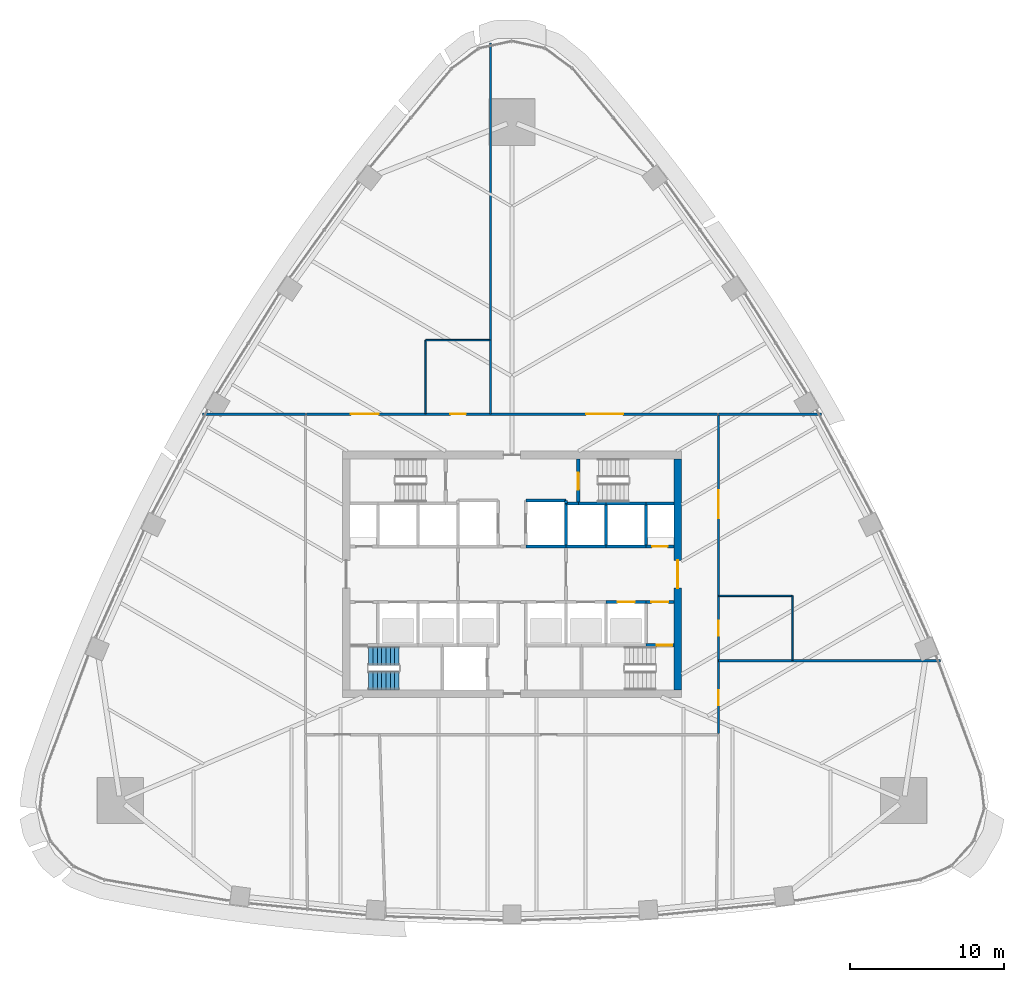
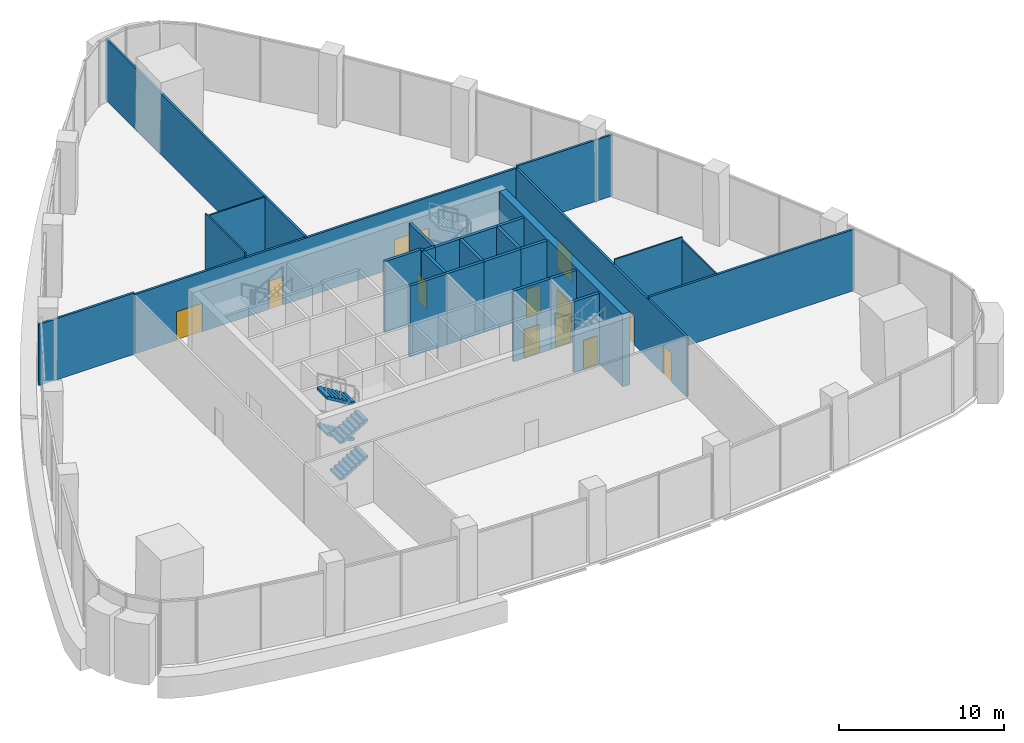
# One storey, part 11 of 16: 28 walls, 12 doors, 4 stair flights, 12 openings, 1 element without a shape of its own.
"""IFC4 building model written with IfcOpenShell, lengths in metres."""

from ifc_helpers import new_model, si_unit, direction, frame, frame_2d, origin, place, context, subcontext, project, spatial, polyline, rectangle, outline, extrude, material, layer, layer_set, type_object, element, fill, aggregate, save


model = new_model("IFC4")

# Units and contexts
model_context = context("Model", 3, precision=1e-05, world=origin(), true_north=direction((0.0, 1.0)))
body_context = subcontext(model_context, "Body", "Model", "MODEL_VIEW")
ifc_project = project(units=[si_unit("LENGTHUNIT", "METRE"), si_unit("AREAUNIT", "SQUARE_METRE"), si_unit("VOLUMEUNIT", "CUBIC_METRE"), si_unit("PLANEANGLEUNIT", "RADIAN"), si_unit("MASSUNIT", "GRAM", prefix="KILO")], contexts=[model_context])

# Site, building, storey
site_placement = place(None, origin())
site = spatial("IfcSite", under=ifc_project, at=site_placement, CompositionType="ELEMENT")
building_placement = place(site_placement, origin())
building = spatial("IfcBuilding", under=site, at=building_placement, Name="Sierra Prisma Convention Tower", CompositionType="ELEMENT")
storey_placement = place(building_placement, frame((0.0, 0.0, 107.199951171875)))
storey = spatial("IfcBuildingStorey", under=building, at=storey_placement, Name="L23", CompositionType="ELEMENT", Elevation=107.199951171875)

# Walls
ifc_material_1 = material(Name="Gypsum board partition", Category="gypsum")
ifc_layer_1 = layer(ifc_material_1, 0.10009765625)
ifc_layer_set_1 = layer_set([ifc_layer_1], Name="Bathroom partition 100")
wall_type_1 = type_object("IfcWallType", Name="Bathroom partition 100", PredefinedType="PARTITIONING", material=ifc_layer_set_1)
wall_1_placement = place(storey_placement, frame((-5.60009765625, 10.429931640625, 0.0), z_axis=(0.0, 0.0, 1.0), x_axis=(0.0, 1.0, 0.0)))
element("IfcWall", 1, at=wall_1_placement, inside=storey, type_object=wall_type_1, Name="Partition L23 bath 1", PredefinedType="PARTITIONING", context=body_context, shape_type="SweptSolid", body=[
    extrude(rectangle(XDim=4.77001953125, YDim=0.10009765625, at=frame_2d((2.385009765625, 0.0))), origin(), (0.0, 0.0, 1.0), 4.75),
])
wall_2_placement = place(storey_placement, frame((-5.60009765625, 15.199951171875, 0.0), z_axis=(0.0, 0.0, 1.0), x_axis=(1.0, 0.0, 0.0)))
element("IfcWall", 2, at=wall_2_placement, inside=storey, type_object=wall_type_1, Name="Partition L23 bath 2", PredefinedType="PARTITIONING", context=body_context, shape_type="SweptSolid", body=[
    extrude(rectangle(XDim=4.170166015625, YDim=0.10009765625, at=frame_2d((2.0849609375, 0.0))), origin(), (0.0, 0.0, 1.0), 4.5380859375),
])
wall_3_placement = place(storey_placement, frame((13.429931640625, -1.39990234375, 0.0), z_axis=(0.0, 0.0, 1.0), x_axis=(1.0, 0.0, 0.0)))
element("IfcWall", 3, at=wall_3_placement, inside=storey, type_object=wall_type_1, Name="Partition L23 bath 3", PredefinedType="PARTITIONING", context=body_context, shape_type="SweptSolid", body=[
    extrude(rectangle(XDim=4.77001953125, YDim=0.10009765625, at=frame_2d((2.385009765625, 0.0))), origin(), (0.0, 0.0, 1.0), 4.75),
])
wall_4_placement = place(storey_placement, frame((18.199951171875, -1.39990234375, 0.0), z_axis=(0.0, 0.0, 1.0), x_axis=(0.0, -1.0, 0.0)))
element("IfcWall", 4, at=wall_4_placement, inside=storey, type_object=wall_type_1, Name="Partition L23 bath 4", PredefinedType="PARTITIONING", context=body_context, shape_type="SweptSolid", body=[
    extrude(rectangle(XDim=4.170166015625, YDim=0.10009765625, at=frame_2d((2.0849609375, 0.0))), origin(), (0.0, 0.0, 1.0), 4.5380859375),
])
ifc_material_2 = material(Name="Concrete C30/37", Category="concrete")
ifc_layer_2 = layer(ifc_material_2, 0.199951171875)
ifc_layer_set_2 = layer_set([ifc_layer_2], Name="Core wall RC 200 C30/37")
wall_type_2 = type_object("IfcWallType", Name="Core wall RC 200 C30/37", PredefinedType="SOLIDWALL", material=ifc_layer_set_2)
wall_5_placement = place(storey_placement, frame((3.5, 1.800048828125, 0.0), z_axis=(0.0, 0.0, 1.0), x_axis=(-1.0, 0.0, 0.0)))
element("IfcWall", 5, at=wall_5_placement, inside=storey, type_object=wall_type_2, Name="Core wall L23 39", PredefinedType="SOLIDWALL", context=body_context, shape_type="SweptSolid", body=[
    extrude(rectangle(XDim=2.60009765625, YDim=0.199951171875, at=frame_2d((1.300048828125, 0.0))), origin(), (0.0, 0.0, 1.0), 5.25),
])
wall_6_placement = place(storey_placement, frame((3.5, 4.60009765625, 0.0), z_axis=(0.0, 0.0, 1.0), x_axis=(0.0, 1.0, 0.0)))
element("IfcWall", 6, at=wall_6_placement, inside=storey, type_object=wall_type_2, Name="Core wall L23 40", PredefinedType="SOLIDWALL", context=body_context, shape_type="SweptSolid", body=[
    extrude(rectangle(XDim=0.199951171875, YDim=0.199951171875, at=frame_2d((0.10009765625, 0.0))), origin(), (0.0, 0.0, 1.0), 5.25),
])
for number, where, z_axis, x_axis, name in (
    (7, (3.5, 4.800048828125, 0.0), (0.0, 0.0, 1.0), (-1.0, 0.0, 0.0), "Core wall L23 41"),
    (8, (6.10009765625, 1.800048828125, 0.0), (0.0, 0.0, 1.0), (-1.0, 0.0, 0.0), "Core wall L23 47"),
):
    element("IfcWall", number, at=place(storey_placement, frame(where, z_axis=z_axis, x_axis=x_axis)), inside=storey, type_object=wall_type_2, Name=name, PredefinedType="SOLIDWALL", context=body_context, shape_type="SweptSolid", body=[
        extrude(rectangle(XDim=2.60009765625, YDim=0.199951171875, at=frame_2d((1.300048828125, 0.0))), origin(), (0.0, 0.0, 1.0), 5.25),
    ])
wall_7_placement = place(storey_placement, frame((3.5, 1.800048828125, 0.0), z_axis=(0.0, 0.0, 1.0), x_axis=(0.0, 1.0, 0.0)))
element("IfcWall", 9, at=wall_7_placement, inside=storey, type_object=wall_type_2, Name="Core wall L23 48", PredefinedType="SOLIDWALL", context=body_context, shape_type="SweptSolid", body=[
    extrude(rectangle(XDim=2.800048828125, YDim=0.199951171875, at=frame_2d((1.39990234375, 0.0))), origin(), (0.0, 0.0, 1.0), 5.25),
])
wall_8_placement = place(storey_placement, frame((4.300048828125, 4.60009765625, 0.0), z_axis=(0.0, 0.0, 1.0), x_axis=(-1.0, 0.0, 0.0)))
element("IfcWall", 10, at=wall_8_placement, inside=storey, type_object=wall_type_2, Name="Core wall L23 49", PredefinedType="SOLIDWALL", context=body_context, shape_type="SweptSolid", body=[
    extrude(rectangle(XDim=0.800048828125, YDim=0.199951171875, at=frame_2d((0.39990234375, 0.0))), origin(), (0.0, 0.0, 1.0), 5.25),
])
wall_9_placement = place(storey_placement, frame((6.10009765625, 4.60009765625, 0.0), z_axis=(0.0, 0.0, 1.0), x_axis=(-1.0, 0.0, 0.0)))
element("IfcWall", 11, at=wall_9_placement, inside=storey, type_object=wall_type_2, Name="Core wall L23 50", PredefinedType="SOLIDWALL", context=body_context, shape_type="SweptSolid", body=[
    extrude(rectangle(XDim=1.800048828125, YDim=0.199951171875, at=frame_2d((0.89990234375, 0.0))), origin(), (0.0, 0.0, 1.0), 5.25),
])

# Wall, opening, door
wall_10_placement = place(storey_placement, frame((4.300048828125, 7.5, 0.0), z_axis=(0.0, 0.0, 1.0), x_axis=(0.0, -1.0, 0.0)))
wall_10 = element("IfcWall", 12, at=wall_10_placement, inside=storey, type_object=wall_type_2, Name="Core wall L23 51", PredefinedType="SOLIDWALL", context=body_context, shape_type="SweptSolid", body=[
    extrude(rectangle(XDim=2.89990234375, YDim=0.199951171875, at=frame_2d((1.449951171875, 0.0))), origin(), (0.0, 0.0, 1.0), 5.25),
])
opening_1_placement = place(wall_10_placement, frame((0.89990234375, 0.0, 0.0)))
opening_1 = element("IfcOpeningElement", 13, at=opening_1_placement, cuts=wall_10, Name="Opening L23-D021", PredefinedType="OPENING", context=body_context, shape_type="SweptSolid", body=[
    extrude(rectangle(XDim=1.10009765625, YDim=2.10009765625, at=frame_2d((0.550048828125, 1.050048828125))), frame((0.0, 0.10009765625, 0.0), z_axis=(0.0, -1.0, 0.0), x_axis=(1.0, 0.0, 0.0)), (0.0, 0.0, 1.0), 0.199951171875),
])
ifc_material_3 = material(Name="Steel fire door leaf", Category="steel")
door_type_1 = type_object("IfcDoorType", Name="Door 1100x2100 FD90S", OperationType="SINGLE_SWING_LEFT", PredefinedType="DOOR", material=ifc_material_3)
door_1_placement = place(opening_1_placement, origin())
door_1 = element("IfcDoor", 14, at=door_1_placement, inside=storey, type_object=door_type_1, Name="Door L23 30", OperationType="SINGLE_SWING_LEFT", OverallHeight=2.10009765625, OverallWidth=1.10009765625, PredefinedType="DOOR", context=body_context, shape_type="SweptSolid", body=[
    extrude(rectangle(XDim=1.10009765625, YDim=2.10009765625, at=frame_2d((0.550048828125, 1.050048828125))), frame((0.0, 0.02490234375, 0.0), z_axis=(0.0, -1.0, 0.0), x_axis=(1.0, 0.0, 0.0)), (0.0, 0.0, 1.0), 0.050048828125),
])
fill(opening_1, door_1)

wall_11_placement = place(storey_placement, frame((6.10009765625, -1.800048828125, 0.0), z_axis=(0.0, 0.0, 1.0), x_axis=(1.0, 0.0, 0.0)))
wall_11 = element("IfcWall", 15, at=wall_11_placement, inside=storey, type_object=wall_type_2, Name="Core wall L23 56", PredefinedType="SOLIDWALL", context=body_context, shape_type="SweptSolid", body=[
    extrude(rectangle(XDim=2.599853515625, YDim=0.199951171875, at=frame_2d((1.2998046875, 0.0))), origin(), (0.0, 0.0, 1.0), 5.25),
])
opening_2_placement = place(wall_11_placement, frame((0.75, 0.0, 0.0)))
opening_2 = element("IfcOpeningElement", 16, at=opening_2_placement, cuts=wall_11, Name="Opening L23-D006", PredefinedType="OPENING", context=body_context, shape_type="SweptSolid", body=[
    extrude(rectangle(XDim=1.10009765625, YDim=2.10009765625, at=frame_2d((0.550048828125, 1.050048828125))), frame((0.0, 0.10009765625, 0.0), z_axis=(0.0, -1.0, 0.0), x_axis=(1.0, 0.0, 0.0)), (0.0, 0.0, 1.0), 0.199951171875),
])
ifc_material_4 = material(Name="Steel fire door leaf", Category="steel")
door_type_2 = type_object("IfcDoorType", Name="Door 1100x2100 EI 90 sliding lift landing", OperationType="SLIDING_TO_LEFT", PredefinedType="DOOR", material=ifc_material_4)
door_2_placement = place(opening_2_placement, origin())
door_2 = element("IfcDoor", 17, at=door_2_placement, inside=storey, type_object=door_type_2, Name="Door L23 15", OperationType="SLIDING_TO_RIGHT", OverallHeight=2.10009765625, OverallWidth=1.10009765625, PredefinedType="DOOR", context=body_context, shape_type="SweptSolid", body=[
    extrude(rectangle(XDim=1.10009765625, YDim=2.10009765625, at=frame_2d((0.550048828125, 1.050048828125))), frame((0.0, 0.02490234375, 0.0), z_axis=(0.0, -1.0, 0.0), x_axis=(1.0, 0.0, 0.0)), (0.0, 0.0, 1.0), 0.050048828125),
])
fill(opening_2, door_2)

# Walls
wall_12_placement = place(storey_placement, frame((8.699951171875, 1.800048828125, 0.0), z_axis=(0.0, 0.0, 1.0), x_axis=(-1.0, 0.0, 0.0)))
element("IfcWall", 18, at=wall_12_placement, inside=storey, type_object=wall_type_2, Name="Core wall L23 57", PredefinedType="SOLIDWALL", context=body_context, shape_type="SweptSolid", body=[
    extrude(rectangle(XDim=2.599853515625, YDim=0.199951171875, at=frame_2d((1.2998046875, 0.0))), origin(), (0.0, 0.0, 1.0), 5.25),
])
wall_13_placement = place(storey_placement, frame((6.10009765625, 1.800048828125, 0.0), z_axis=(0.0, 0.0, 1.0), x_axis=(0.0, 1.0, 0.0)))
element("IfcWall", 19, at=wall_13_placement, inside=storey, type_object=wall_type_2, Name="Core wall L23 58", PredefinedType="SOLIDWALL", context=body_context, shape_type="SweptSolid", body=[
    extrude(rectangle(XDim=2.800048828125, YDim=0.199951171875, at=frame_2d((1.39990234375, 0.0))), origin(), (0.0, 0.0, 1.0), 5.25),
])
wall_14_placement = place(storey_placement, frame((8.699951171875, 4.60009765625, 0.0), z_axis=(0.0, 0.0, 1.0), x_axis=(-1.0, 0.0, 0.0)))
element("IfcWall", 20, at=wall_14_placement, inside=storey, type_object=wall_type_2, Name="Core wall L23 59", PredefinedType="SOLIDWALL", context=body_context, shape_type="SweptSolid", body=[
    extrude(rectangle(XDim=2.599853515625, YDim=0.199951171875, at=frame_2d((1.2998046875, 0.0))), origin(), (0.0, 0.0, 1.0), 5.25),
])

# Wall, opening, door
wall_15_placement = place(storey_placement, frame((8.699951171875, -4.60009765625, 0.0), z_axis=(0.0, 0.0, 1.0), x_axis=(1.0, 0.0, 0.0)))
wall_15 = element("IfcWall", 21, at=wall_15_placement, inside=storey, type_object=wall_type_2, Name="Core wall L23 60", PredefinedType="SOLIDWALL", context=body_context, shape_type="SweptSolid", body=[
    extrude(rectangle(XDim=1.800048828125, YDim=0.199951171875, at=frame_2d((0.89990234375, 0.0))), origin(), (0.0, 0.0, 1.0), 5.25),
])
opening_3_placement = place(wall_15_placement, frame((0.699951171875, 0.0, 0.0)))
opening_3 = element("IfcOpeningElement", 22, at=opening_3_placement, cuts=wall_15, Name="Opening L23-D019", PredefinedType="OPENING", context=body_context, shape_type="SweptSolid", body=[
    extrude(rectangle(XDim=1.0, YDim=2.10009765625, at=frame_2d((0.5, 1.050048828125))), frame((0.0, 0.10009765625, 0.0), z_axis=(0.0, -1.0, 0.0), x_axis=(1.0, 0.0, 0.0)), (0.0, 0.0, 1.0), 0.199951171875),
])
ifc_material_5 = material(Name="Steel fire door leaf", Category="steel")
door_type_3 = type_object("IfcDoorType", Name="Door 1000x2100 FD90S", OperationType="SINGLE_SWING_LEFT", PredefinedType="DOOR", material=ifc_material_5)
door_3_placement = place(opening_3_placement, origin())
door_3 = element("IfcDoor", 23, at=door_3_placement, inside=storey, type_object=door_type_3, Name="Door L23 28", OperationType="SINGLE_SWING_RIGHT", OverallHeight=2.10009765625, OverallWidth=1.0, PredefinedType="DOOR", context=body_context, shape_type="SweptSolid", body=[
    extrude(rectangle(XDim=1.0, YDim=2.10009765625, at=frame_2d((0.5, 1.050048828125))), frame((0.0, 0.02490234375, 0.0), z_axis=(0.0, -1.0, 0.0), x_axis=(1.0, 0.0, 0.0)), (0.0, 0.0, 1.0), 0.050048828125),
])
fill(opening_3, door_3)

wall_16_placement = place(storey_placement, frame((8.699951171875, -1.800048828125, 0.0), z_axis=(0.0, 0.0, 1.0), x_axis=(1.0, 0.0, 0.0)))
wall_16 = element("IfcWall", 24, at=wall_16_placement, inside=storey, type_object=wall_type_2, Name="Core wall L23 62", PredefinedType="SOLIDWALL", context=body_context, shape_type="SweptSolid", body=[
    extrude(rectangle(XDim=1.800048828125, YDim=0.199951171875, at=frame_2d((0.89990234375, 0.0))), origin(), (0.0, 0.0, 1.0), 5.25),
])
opening_4_placement = place(wall_16_placement, frame((0.35009765625, 0.0, 0.0)))
opening_4 = element("IfcOpeningElement", 25, at=opening_4_placement, cuts=wall_16, Name="Opening L23-D013", PredefinedType="OPENING", context=body_context, shape_type="SweptSolid", body=[
    extrude(rectangle(XDim=1.10009765625, YDim=2.10009765625, at=frame_2d((0.550048828125, 1.050048828125))), frame((0.0, 0.10009765625, 0.0), z_axis=(0.0, -1.0, 0.0), x_axis=(1.0, 0.0, 0.0)), (0.0, 0.0, 1.0), 0.199951171875),
])
door_4_placement = place(opening_4_placement, origin())
door_4 = element("IfcDoor", 26, at=door_4_placement, inside=storey, type_object=door_type_1, Name="Door L23 22", OperationType="SINGLE_SWING_RIGHT", OverallHeight=2.10009765625, OverallWidth=1.10009765625, PredefinedType="DOOR", context=body_context, shape_type="SweptSolid", body=[
    extrude(rectangle(XDim=1.10009765625, YDim=2.10009765625, at=frame_2d((0.550048828125, 1.050048828125))), frame((0.0, 0.02490234375, 0.0), z_axis=(0.0, -1.0, 0.0), x_axis=(1.0, 0.0, 0.0)), (0.0, 0.0, 1.0), 0.050048828125),
])
fill(opening_4, door_4)

wall_17_placement = place(storey_placement, frame((10.5, 1.800048828125, 0.0), z_axis=(0.0, 0.0, 1.0), x_axis=(-1.0, 0.0, 0.0)))
wall_17 = element("IfcWall", 27, at=wall_17_placement, inside=storey, type_object=wall_type_2, Name="Core wall L23 63", PredefinedType="SOLIDWALL", context=body_context, shape_type="SweptSolid", body=[
    extrude(rectangle(XDim=1.800048828125, YDim=0.199951171875, at=frame_2d((0.89990234375, 0.0))), origin(), (0.0, 0.0, 1.0), 5.25),
])
opening_5_placement = place(wall_17_placement, frame((0.39990234375, 0.0, 0.0)))
opening_5 = element("IfcOpeningElement", 28, at=opening_5_placement, cuts=wall_17, Name="Opening L23-D017", PredefinedType="OPENING", context=body_context, shape_type="SweptSolid", body=[
    extrude(rectangle(XDim=1.0, YDim=2.10009765625, at=frame_2d((0.5, 1.050048828125))), frame((0.0, 0.10009765625, 0.0), z_axis=(0.0, -1.0, 0.0), x_axis=(1.0, 0.0, 0.0)), (0.0, 0.0, 1.0), 0.199951171875),
])
ifc_material_6 = material(Name="Steel fire door leaf", Category="steel")
door_type_4 = type_object("IfcDoorType", Name="Door 1000x2100 FD60S", OperationType="SINGLE_SWING_LEFT", PredefinedType="DOOR", material=ifc_material_6)
door_5_placement = place(opening_5_placement, origin())
door_5 = element("IfcDoor", 29, at=door_5_placement, inside=storey, type_object=door_type_4, Name="Door L23 26", OperationType="SINGLE_SWING_RIGHT", OverallHeight=2.10009765625, OverallWidth=1.0, PredefinedType="DOOR", context=body_context, shape_type="SweptSolid", body=[
    extrude(rectangle(XDim=1.0, YDim=2.10009765625, at=frame_2d((0.5, 1.050048828125))), frame((0.0, 0.02490234375, 0.0), z_axis=(0.0, -1.0, 0.0), x_axis=(1.0, 0.0, 0.0)), (0.0, 0.0, 1.0), 0.050048828125),
])
fill(opening_5, door_5)

# Walls
wall_18_placement = place(storey_placement, frame((8.699951171875, 4.60009765625, 0.0), z_axis=(0.0, 0.0, 1.0), x_axis=(0.0, -1.0, 0.0)))
element("IfcWall", 30, at=wall_18_placement, inside=storey, type_object=wall_type_2, Name="Core wall L23 64", PredefinedType="SOLIDWALL", context=body_context, shape_type="SweptSolid", body=[
    extrude(rectangle(XDim=2.800048828125, YDim=0.199951171875, at=frame_2d((1.39990234375, 0.0))), origin(), (0.0, 0.0, 1.0), 5.25),
])
wall_19_placement = place(storey_placement, frame((10.5, 4.60009765625, 0.0), z_axis=(0.0, 0.0, 1.0), x_axis=(-1.0, 0.0, 0.0)))
element("IfcWall", 31, at=wall_19_placement, inside=storey, type_object=wall_type_2, Name="Core wall L23 65", PredefinedType="SOLIDWALL", context=body_context, shape_type="SweptSolid", body=[
    extrude(rectangle(XDim=1.800048828125, YDim=0.199951171875, at=frame_2d((0.89990234375, 0.0))), origin(), (0.0, 0.0, 1.0), 5.25),
])

# Wall, opening, door
ifc_material_7 = material(Name="Concrete C60/75", Category="concrete")
ifc_layer_3 = layer(ifc_material_7, 0.5)
ifc_layer_set_3 = layer_set([ifc_layer_3], Name="Core wall RC 500 C60/75")
wall_type_3 = type_object("IfcWallType", Name="Core wall RC 500 C60/75", PredefinedType="SHEAR", material=ifc_layer_set_3)
wall_20_placement = place(storey_placement, frame((10.75, -7.5, 0.0), z_axis=(0.0, 0.0, 1.0), x_axis=(0.0, 1.0, 0.0)))
wall_20 = element("IfcWall", 32, at=wall_20_placement, inside=storey, type_object=wall_type_3, Name="Core wall E L23", PredefinedType="SHEAR", context=body_context, shape_type="SweptSolid", body=[
    extrude(rectangle(XDim=15.0, YDim=0.5, at=frame_2d((7.5, 0.0))), origin(), (0.0, 0.0, 1.0), 5.400146484375),
])
opening_6_placement = place(wall_20_placement, frame((6.60009765625, 0.0, 0.0)))
opening_6 = element("IfcOpeningElement", 33, at=opening_6_placement, cuts=wall_20, Name="Opening L23-D032", PredefinedType="OPENING", context=body_context, shape_type="SweptSolid", body=[
    extrude(rectangle(XDim=1.800048828125, YDim=2.10009765625, at=frame_2d((0.89990234375, 1.050048828125))), frame((0.0, 0.25, 0.0), z_axis=(0.0, -1.0, 0.0), x_axis=(1.0, 0.0, 0.0)), (0.0, 0.0, 1.0), 0.5),
])
ifc_material_8 = material(Name="Steel fire door leaf", Category="steel")
door_type_5 = type_object("IfcDoorType", Name="Door 1800x2100 FD60S", OperationType="DOUBLE_DOOR_SINGLE_SWING", PredefinedType="DOOR", material=ifc_material_8)
door_6_placement = place(opening_6_placement, origin())
door_6 = element("IfcDoor", 34, at=door_6_placement, inside=storey, type_object=door_type_5, Name="Door L23 33", OperationType="DOUBLE_DOOR_SINGLE_SWING", OverallHeight=2.10009765625, OverallWidth=1.800048828125, PredefinedType="DOOR", context=body_context, shape_type="SweptSolid", body=[
    extrude(rectangle(XDim=1.800048828125, YDim=2.10009765625, at=frame_2d((0.89990234375, 1.050048828125))), frame((0.0, 0.02490234375, 0.0), z_axis=(0.0, -1.0, 0.0), x_axis=(1.0, 0.0, 0.0)), (0.0, 0.0, 1.0), 0.050048828125),
])
fill(opening_6, door_6)

# Wall, openings, doors
ifc_material_9 = material(Name="Gypsum board partition", Category="gypsum")
ifc_layer_4 = layer(ifc_material_9, 0.14990234375)
ifc_layer_set_4 = layer_set([ifc_layer_4], Name="Corridor wall 150 gypsum EI 60")
wall_type_4 = type_object("IfcWallType", Name="Corridor wall 150 gypsum EI 60", PredefinedType="PARTITIONING", material=ifc_layer_set_4)
wall_21_placement = place(storey_placement, frame((13.320068359375, 10.39990234375, 0.0), z_axis=(0.0, 0.0, 1.0), x_axis=(-1.0, 0.0, 0.0)))
wall_21 = element("IfcWall", 35, at=wall_21_placement, inside=storey, type_object=wall_type_4, Name="Partition L23 corr 3", PredefinedType="PARTITIONING", context=body_context, shape_type="SweptSolid", body=[
    extrude(rectangle(XDim=26.64013671875, YDim=0.14990234375, at=frame_2d((13.320068359375, 0.0))), origin(), (0.0, 0.0, 1.0), 4.39697265625),
])
opening_7_placement = place(wall_21_placement, frame((6.110107421875, 0.0, 0.0)))
opening_7 = element("IfcOpeningElement", 36, at=opening_7_placement, cuts=wall_21, Name="Opening L23-D025", PredefinedType="OPENING", context=body_context, shape_type="SweptSolid", body=[
    extrude(rectangle(XDim=2.39990234375, YDim=2.10009765625, at=frame_2d((1.199951171875, 1.050048828125))), frame((0.0, 0.074951171875, 0.0), z_axis=(0.0, -1.0, 0.0), x_axis=(1.0, 0.0, 0.0)), (0.0, 0.0, 1.0), 0.14990234375),
])
opening_8_placement = place(wall_21_placement, frame((16.320068359375, 0.0, 0.0)))
opening_8 = element("IfcOpeningElement", 37, at=opening_8_placement, cuts=wall_21, Name="Opening L23-D026", PredefinedType="OPENING", context=body_context, shape_type="SweptSolid", body=[
    extrude(rectangle(XDim=1.0, YDim=2.10009765625, at=frame_2d((0.5, 1.050048828125))), frame((0.0, 0.074951171875, 0.0), z_axis=(0.0, -1.0, 0.0), x_axis=(1.0, 0.0, 0.0)), (0.0, 0.0, 1.0), 0.14990234375),
])
opening_9_placement = place(wall_21_placement, frame((21.97998046875, 0.0, 0.0)))
opening_9 = element("IfcOpeningElement", 38, at=opening_9_placement, cuts=wall_21, Name="Opening L23-D027", PredefinedType="OPENING", context=body_context, shape_type="SweptSolid", body=[
    extrude(rectangle(XDim=1.800048828125, YDim=2.10009765625, at=frame_2d((0.89990234375, 1.050048828125))), frame((0.0, 0.074951171875, 0.0), z_axis=(0.0, -1.0, 0.0), x_axis=(1.0, 0.0, 0.0)), (0.0, 0.0, 1.0), 0.14990234375),
])
ifc_material_10 = material(Name="Steel fire door leaf", Category="steel")
door_type_6 = type_object("IfcDoorType", Name="Door 1000x2100 FD30S", OperationType="SINGLE_SWING_LEFT", PredefinedType="DOOR", material=ifc_material_10)
door_7_placement = place(opening_8_placement, origin())
door_7 = element("IfcDoor", 39, at=door_7_placement, inside=storey, type_object=door_type_6, Name="Door L23 4", OperationType="SINGLE_SWING_RIGHT", OverallHeight=2.10009765625, OverallWidth=1.0, PredefinedType="DOOR", context=body_context, shape_type="SweptSolid", body=[
    extrude(rectangle(XDim=1.0, YDim=2.10009765625, at=frame_2d((0.5, 1.050048828125))), frame((0.0, 0.02490234375, 0.0), z_axis=(0.0, -1.0, 0.0), x_axis=(1.0, 0.0, 0.0)), (0.0, 0.0, 1.0), 0.050048828125),
])
fill(opening_8, door_7)
ifc_material_11 = material(Name="Steel fire door leaf", Category="steel")
door_type_7 = type_object("IfcDoorType", Name="Door 1800x2100 FD30S", OperationType="DOUBLE_DOOR_SINGLE_SWING", PredefinedType="DOOR", material=ifc_material_11)
door_8_placement = place(opening_9_placement, origin())
door_8 = element("IfcDoor", 40, at=door_8_placement, inside=storey, type_object=door_type_7, Name="Door L23 5", OperationType="DOUBLE_DOOR_SINGLE_SWING", OverallHeight=2.10009765625, OverallWidth=1.800048828125, PredefinedType="DOOR", context=body_context, shape_type="SweptSolid", body=[
    extrude(rectangle(XDim=1.800048828125, YDim=2.10009765625, at=frame_2d((0.89990234375, 1.050048828125))), frame((0.0, 0.02490234375, 0.0), z_axis=(0.0, -1.0, 0.0), x_axis=(1.0, 0.0, 0.0)), (0.0, 0.0, 1.0), 0.050048828125),
])
fill(opening_9, door_8)
ifc_material_12 = material(Name="Steel fire door leaf", Category="steel")
door_type_8 = type_object("IfcDoorType", Name="Door 2400x2100 FD30S", OperationType="DOUBLE_DOOR_SINGLE_SWING", PredefinedType="DOOR", material=ifc_material_12)
door_9_placement = place(opening_7_placement, origin())
door_9 = element("IfcDoor", 41, at=door_9_placement, inside=storey, type_object=door_type_8, Name="Door L23 3", OperationType="DOUBLE_DOOR_SINGLE_SWING", OverallHeight=2.10009765625, OverallWidth=2.39990234375, PredefinedType="DOOR", context=body_context, shape_type="SweptSolid", body=[
    extrude(rectangle(XDim=2.39990234375, YDim=2.10009765625, at=frame_2d((1.199951171875, 1.050048828125))), frame((0.0, 0.02490234375, 0.0), z_axis=(0.0, -1.0, 0.0), x_axis=(1.0, 0.0, 0.0)), (0.0, 0.0, 1.0), 0.050048828125),
])
fill(opening_7, door_9)

wall_22_placement = place(storey_placement, frame((13.39990234375, -10.320068359375, 0.0), z_axis=(0.0, 0.0, 1.0), x_axis=(0.0, 1.0, 0.0)))
wall_22 = element("IfcWall", 42, at=wall_22_placement, inside=storey, type_object=wall_type_4, Name="Partition L23 corr 4", PredefinedType="PARTITIONING", context=body_context, shape_type="SweptSolid", body=[
    extrude(rectangle(XDim=20.64013671875, YDim=0.14990234375, at=frame_2d((10.320068359375, 0.0))), origin(), (0.0, 0.0, 1.0), 4.39697265625),
])
opening_10_placement = place(wall_22_placement, frame((6.320068359375, 0.0, 0.0)))
opening_10 = element("IfcOpeningElement", 43, at=opening_10_placement, cuts=wall_22, Name="Opening L23-D023", PredefinedType="OPENING", context=body_context, shape_type="SweptSolid", body=[
    extrude(rectangle(XDim=1.0, YDim=2.10009765625, at=frame_2d((0.5, 1.050048828125))), frame((0.0, 0.074951171875, 0.0), z_axis=(0.0, -1.0, 0.0), x_axis=(1.0, 0.0, 0.0)), (0.0, 0.0, 1.0), 0.14990234375),
])
opening_11_placement = place(wall_22_placement, frame((13.969970703125, 0.0, 0.0)))
opening_11 = element("IfcOpeningElement", 44, at=opening_11_placement, cuts=wall_22, Name="Opening L23-D024", PredefinedType="OPENING", context=body_context, shape_type="SweptSolid", body=[
    extrude(rectangle(XDim=1.800048828125, YDim=2.10009765625, at=frame_2d((0.89990234375, 1.050048828125))), frame((0.0, 0.074951171875, 0.0), z_axis=(0.0, -1.0, 0.0), x_axis=(1.0, 0.0, 0.0)), (0.0, 0.0, 1.0), 0.14990234375),
])
opening_12_placement = place(wall_22_placement, frame((1.81005859375, 0.0, 0.0)))
opening_12 = element("IfcOpeningElement", 45, at=opening_12_placement, cuts=wall_22, Name="Opening L23-D031", PredefinedType="OPENING", context=body_context, shape_type="SweptSolid", body=[
    extrude(rectangle(XDim=1.0, YDim=2.10009765625, at=frame_2d((0.5, 1.050048828125))), frame((0.0, 0.074951171875, 0.0), z_axis=(0.0, -1.0, 0.0), x_axis=(1.0, 0.0, 0.0)), (0.0, 0.0, 1.0), 0.14990234375),
])
door_10_placement = place(opening_10_placement, origin())
door_10 = element("IfcDoor", 46, at=door_10_placement, inside=storey, type_object=door_type_6, Name="Door L23 1", OperationType="SINGLE_SWING_RIGHT", OverallHeight=2.10009765625, OverallWidth=1.0, PredefinedType="DOOR", context=body_context, shape_type="SweptSolid", body=[
    extrude(rectangle(XDim=1.0, YDim=2.10009765625, at=frame_2d((0.5, 1.050048828125))), frame((0.0, 0.02490234375, 0.0), z_axis=(0.0, -1.0, 0.0), x_axis=(1.0, 0.0, 0.0)), (0.0, 0.0, 1.0), 0.050048828125),
])
fill(opening_10, door_10)
door_11_placement = place(opening_12_placement, origin())
door_11 = element("IfcDoor", 47, at=door_11_placement, inside=storey, type_object=door_type_6, Name="Door L23 9", OperationType="SINGLE_SWING_RIGHT", OverallHeight=2.10009765625, OverallWidth=1.0, PredefinedType="DOOR", context=body_context, shape_type="SweptSolid", body=[
    extrude(rectangle(XDim=1.0, YDim=2.10009765625, at=frame_2d((0.5, 1.050048828125))), frame((0.0, 0.02490234375, 0.0), z_axis=(0.0, -1.0, 0.0), x_axis=(1.0, 0.0, 0.0)), (0.0, 0.0, 1.0), 0.050048828125),
])
fill(opening_12, door_11)
door_12_placement = place(opening_11_placement, origin())
door_12 = element("IfcDoor", 48, at=door_12_placement, inside=storey, type_object=door_type_7, Name="Door L23 2", OperationType="DOUBLE_DOOR_SINGLE_SWING", OverallHeight=2.10009765625, OverallWidth=1.800048828125, PredefinedType="DOOR", context=body_context, shape_type="SweptSolid", body=[
    extrude(rectangle(XDim=1.800048828125, YDim=2.10009765625, at=frame_2d((0.89990234375, 1.050048828125))), frame((0.0, 0.02490234375, 0.0), z_axis=(0.0, -1.0, 0.0), x_axis=(1.0, 0.0, 0.0)), (0.0, 0.0, 1.0), 0.050048828125),
])
fill(opening_11, door_12)

# Walls
ifc_material_13 = material(Name="Gypsum board partition", Category="gypsum")
ifc_layer_5 = layer(ifc_material_13, 0.14990234375)
ifc_layer_set_5 = layer_set([ifc_layer_5], Name="Party wall 150 gypsum")
wall_type_5 = type_object("IfcWallType", Name="Party wall 150 gypsum", PredefinedType="PARTITIONING", material=ifc_layer_set_5)
wall_23_placement = place(storey_placement, frame((-13.39990234375, 10.39990234375, 0.0), z_axis=(0.0, 0.0, 1.0), x_axis=(-1.0, 0.0, 0.0)))
element("IfcWall", 49, at=wall_23_placement, inside=storey, type_object=wall_type_5, Name="Partition L23 party 1", PredefinedType="PARTITIONING", context=body_context, shape_type="SweptSolid", body=[
    extrude(rectangle(XDim=6.690185546875, YDim=0.14990234375, at=frame_2d((3.34521484375, 0.0))), origin(), (0.0, 0.0, 1.0), 4.533935546875),
])
wall_24_placement = place(storey_placement, frame((-1.39990234375, 10.39990234375, 0.0), z_axis=(0.0, 0.0, 1.0), x_axis=(0.0, 1.0, 0.0)))
element("IfcWall", 50, at=wall_24_placement, inside=storey, type_object=wall_type_5, Name="Partition L23 party 4", PredefinedType="PARTITIONING", context=body_context, shape_type="SweptSolid", body=[
    extrude(rectangle(XDim=24.0810546875, YDim=0.14990234375, at=frame_2d((12.04052734375, 0.0))), origin(), (0.0, 0.0, 1.0), 4.533935546875),
])
wall_25_placement = place(storey_placement, frame((27.80224609375, -5.60009765625, 0.0), z_axis=(0.0, 0.0, 1.0), x_axis=(-1.0, 0.0, 0.0)))
element("IfcWall", 51, at=wall_25_placement, inside=storey, type_object=wall_type_5, Name="Partition L23 party 6", PredefinedType="PARTITIONING", context=body_context, shape_type="SweptSolid", body=[
    extrude(rectangle(XDim=14.40234375, YDim=0.14990234375, at=frame_2d((7.201171875, 0.0))), origin(), (0.0, 0.0, 1.0), 4.533935546875),
])
wall_26_placement = place(storey_placement, frame((13.39990234375, 10.39990234375, 0.0), z_axis=(0.0, 0.0, 1.0), x_axis=(1.0, 0.0, 0.0)))
element("IfcWall", 52, at=wall_26_placement, inside=storey, type_object=wall_type_5, Name="Partition L23 party 7", PredefinedType="PARTITIONING", context=body_context, shape_type="SweptSolid", body=[
    extrude(rectangle(XDim=6.690185546875, YDim=0.14990234375, at=frame_2d((3.34521484375, 0.0))), origin(), (0.0, 0.0, 1.0), 4.533935546875),
])

# Stair, stair flights
ifc_material_14 = material(Name="Concrete C30/37", Category="concrete")
stair_type = type_object("IfcStairType", Name="Stair dog-leg 1200 RC", PredefinedType="HALF_TURN_STAIR", material=ifc_material_14)
stair_placement = place(storey_placement, origin())
stair = element("IfcStair", 53, at=stair_placement, inside=storey, type_object=stair_type, Name="L23 S1", PredefinedType="HALF_TURN_STAIR")
ifc_material_15 = material(Name="Concrete C30/37", Category="concrete")
stair_flight_type = type_object("IfcStairFlightType", Name="Stair flight RC 1200", PredefinedType="STRAIGHT", material=ifc_material_15)
stair_flight_1_placement = place(storey_placement, frame((-9.300048828125, -6.89990234375, 0.0), z_axis=(0.0, 0.0, 1.0), x_axis=(1.0, 0.0, 0.0)))
stair_flight_1 = element("IfcStairFlight", 54, at=stair_flight_1_placement, type_object=stair_flight_type, Name="S1 flight 1", NumberOfRisers=8, NumberOfTreads=7, PredefinedType="STRAIGHT", RiserHeight=0.16875, TreadLength=0.28, context=body_context, shape_type="SweptSolid", body=[
    extrude(outline(polyline([(0.0, 0.0), (0.0, 0.168701171875), (0.280029296875, 0.168701171875), (0.280029296875, 0.33740234375), (0.56005859375, 0.33740234375), (0.56005859375, 0.50634765625), (0.840087890625, 0.50634765625), (0.840087890625, 0.675048828125), (1.1201171875, 0.675048828125), (1.1201171875, 0.84375), (1.39990234375, 0.84375), (1.39990234375, 1.012451171875), (1.679931640625, 1.012451171875), (1.679931640625, 1.18115234375), (1.9599609375, 1.18115234375), (1.9599609375, 1.35009765625), (1.9599609375, 1.00634765625), (0.29052734375, 0.0), (0.0, 0.0)])), frame((0.0, 0.60009765625, 0.0), z_axis=(0.0, -1.0, 0.0), x_axis=(1.0, 0.0, 0.0)), (0.0, 0.0, 1.0), 1.199951171875),
])
stair_flight_2_placement = place(storey_placement, frame((-7.340087890625, -5.300048828125, 1.35009765625), z_axis=(0.0, 0.0, 1.0), x_axis=(-1.0, 0.0, 0.0)))
stair_flight_2 = element("IfcStairFlight", 55, at=stair_flight_2_placement, type_object=stair_flight_type, Name="S1 flight 2", NumberOfRisers=8, NumberOfTreads=7, PredefinedType="STRAIGHT", RiserHeight=0.16875, TreadLength=0.28, context=body_context, shape_type="SweptSolid", body=[
    extrude(outline(polyline([(0.0, 0.0), (0.0, 0.168701171875), (0.280029296875, 0.168701171875), (0.280029296875, 0.33740234375), (0.56005859375, 0.33740234375), (0.56005859375, 0.50634765625), (0.840087890625, 0.50634765625), (0.840087890625, 0.675048828125), (1.1201171875, 0.675048828125), (1.1201171875, 0.84375), (1.39990234375, 0.84375), (1.39990234375, 1.012451171875), (1.679931640625, 1.012451171875), (1.679931640625, 1.18115234375), (1.9599609375, 1.18115234375), (1.9599609375, 1.35009765625), (1.9599609375, 1.00634765625), (0.29052734375, 0.0), (0.0, 0.0)])), frame((0.0, 0.60009765625, 0.0), z_axis=(0.0, -1.0, 0.0), x_axis=(1.0, 0.0, 0.0)), (0.0, 0.0, 1.0), 1.199951171875),
])
stair_flight_3_placement = place(storey_placement, frame((-9.300048828125, -6.89990234375, 2.699951171875), z_axis=(0.0, 0.0, 1.0), x_axis=(1.0, 0.0, 0.0)))
stair_flight_3 = element("IfcStairFlight", 56, at=stair_flight_3_placement, type_object=stair_flight_type, Name="S1 flight 3", NumberOfRisers=8, NumberOfTreads=7, PredefinedType="STRAIGHT", RiserHeight=0.16875, TreadLength=0.28, context=body_context, shape_type="SweptSolid", body=[
    extrude(outline(polyline([(0.0, 0.0), (0.0, 0.168701171875), (0.280029296875, 0.168701171875), (0.280029296875, 0.33740234375), (0.56005859375, 0.33740234375), (0.56005859375, 0.50634765625), (0.840087890625, 0.50634765625), (0.840087890625, 0.675048828125), (1.1201171875, 0.675048828125), (1.1201171875, 0.84375), (1.39990234375, 0.84375), (1.39990234375, 1.012451171875), (1.679931640625, 1.012451171875), (1.679931640625, 1.18115234375), (1.9599609375, 1.18115234375), (1.9599609375, 1.35009765625), (1.9599609375, 1.00634765625), (0.29052734375, 0.0), (0.0, 0.0)])), frame((0.0, 0.60009765625, 0.0), z_axis=(0.0, -1.0, 0.0), x_axis=(1.0, 0.0, 0.0)), (0.0, 0.0, 1.0), 1.199951171875),
])
stair_flight_4_placement = place(storey_placement, frame((-7.340087890625, -5.300048828125, 4.050048828125), z_axis=(0.0, 0.0, 1.0), x_axis=(-1.0, 0.0, 0.0)))
stair_flight_4 = element("IfcStairFlight", 57, at=stair_flight_4_placement, type_object=stair_flight_type, Name="S1 flight 4", NumberOfRisers=8, NumberOfTreads=7, PredefinedType="STRAIGHT", RiserHeight=0.16875, TreadLength=0.28, context=body_context, shape_type="SweptSolid", body=[
    extrude(outline(polyline([(0.0, 0.0), (0.0, 0.168701171875), (0.280029296875, 0.168701171875), (0.280029296875, 0.33740234375), (0.56005859375, 0.33740234375), (0.56005859375, 0.50634765625), (0.840087890625, 0.50634765625), (0.840087890625, 0.675048828125), (1.1201171875, 0.675048828125), (1.1201171875, 0.84375), (1.39990234375, 0.84375), (1.39990234375, 1.012451171875), (1.679931640625, 1.012451171875), (1.679931640625, 1.18115234375), (1.9599609375, 1.18115234375), (1.9599609375, 1.35009765625), (1.9599609375, 1.00634765625), (0.29052734375, 0.0), (0.0, 0.0)])), frame((0.0, 0.60009765625, 0.0), z_axis=(0.0, -1.0, 0.0), x_axis=(1.0, 0.0, 0.0)), (0.0, 0.0, 1.0), 1.199951171875),
])
aggregate(stair, [stair_flight_1, stair_flight_2, stair_flight_3, stair_flight_4])

save(model, "model.ifc")
